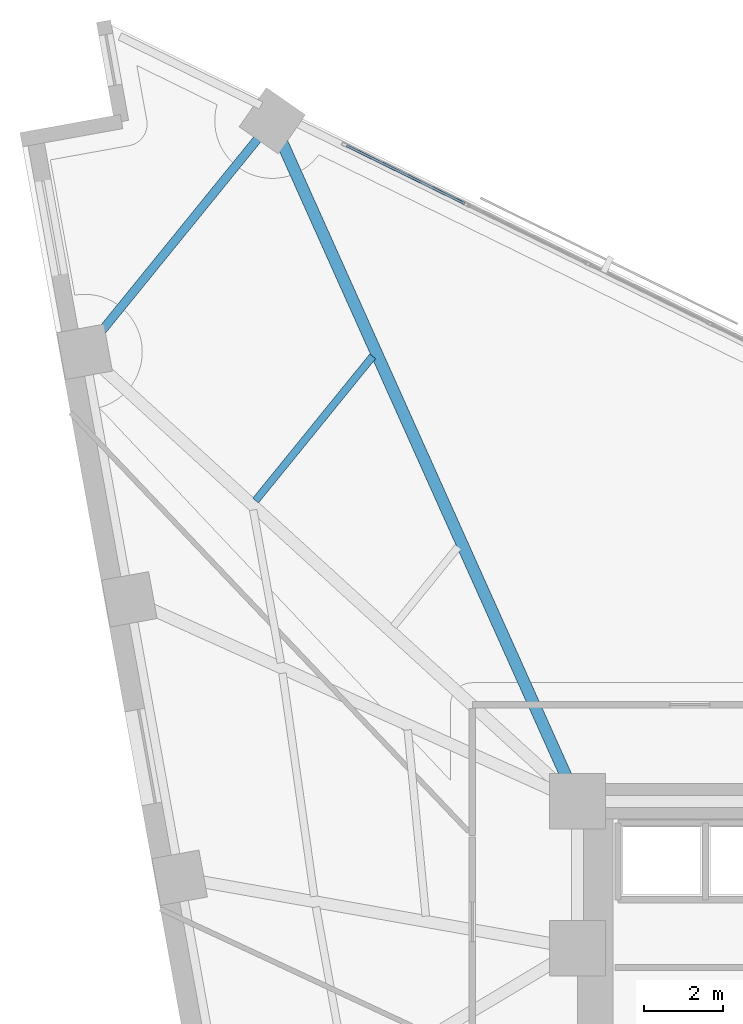
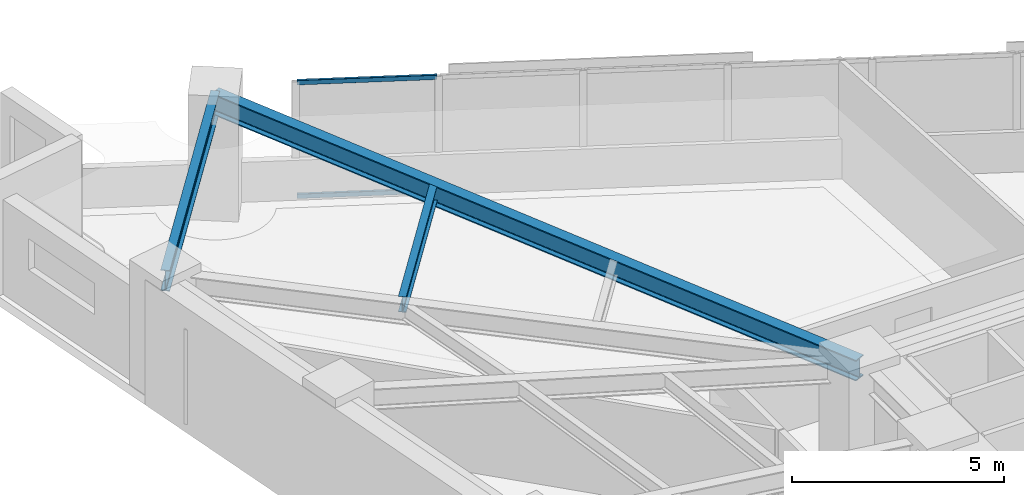
# One storey, part 9 of 18: 3 beams, 2 members, 1 element without a shape of its own.
"""IFC4 building model written with IfcOpenShell, lengths in metres."""

from ifc_helpers import new_model, si_unit, direction, frame, origin, origin_2d, place, context, subcontext, project, spatial, hollow_rectangle, i_section, extrude, material, material_profile, profile_set, type_object, element, aggregate, save


model = new_model("IFC4")

# Units and contexts
model_context = context("Model", 3, precision=1e-05, world=origin(), true_north=direction((0.0, 1.0)))
body_context = subcontext(model_context, "Body", "Model", "MODEL_VIEW")
ifc_project = project(units=[si_unit("LENGTHUNIT", "METRE"), si_unit("AREAUNIT", "SQUARE_METRE"), si_unit("VOLUMEUNIT", "CUBIC_METRE"), si_unit("PLANEANGLEUNIT", "RADIAN"), si_unit("MASSUNIT", "GRAM", prefix="KILO")], contexts=[model_context])

# Site, building, storey
site_placement = place(None, origin())
site = spatial("IfcSite", under=ifc_project, at=site_placement, CompositionType="ELEMENT")
building_placement = place(site_placement, origin())
building = spatial("IfcBuilding", under=site, at=building_placement, Name="Narakoshi Arena Tower", CompositionType="ELEMENT")
storey_placement = place(building_placement, frame((0.0, 0.0, 106.5)))
storey = spatial("IfcBuildingStorey", under=building, at=storey_placement, Name="L28", CompositionType="ELEMENT", Elevation=106.5)

# Beams
ifc_material_1 = material(Name="Structural steel S355J2", Category="steel")
ifc_material_profile_1 = material_profile(ifc_material_1, i_section(OverallWidth=0.219970703125, OverallDepth=0.60009765625, WebThickness=0.011962890625, FlangeThickness=0.01904296875, FilletRadius=0.02392578125, at=origin_2d()), Name="IPE600")
ifc_profile_set_1 = profile_set([ifc_material_profile_1], Name="Structural steel S355J2")
beam_type_1 = type_object("IfcBeamType", Name="BM-EDGE-600", PredefinedType="BEAM", material=ifc_profile_set_1)
beam_1_placement = place(storey_placement, frame((64.31787109375, 73.633056640625, 3.0400390625), z_axis=(-0.630427035182, -0.776248512598, 0.0), x_axis=(0.776248512598, -0.630427035182, 0.0)))
element("IfcBeam", 1, at=beam_1_placement, inside=storey, type_object=beam_type_1, Name="L28 Perimeter Edge Girder 09", PredefinedType="BEAM", context=body_context, shape_type="SweptSolid", body=[
    extrude(i_section(OverallWidth=0.219970703125, OverallDepth=0.60009765625, WebThickness=0.011962890625, FlangeThickness=0.01904296875, FilletRadius=0.02392578125, at=origin_2d()), origin(), (0.0, 0.0, 1.0), 7.493896484375),
])
ifc_material_profile_2 = material_profile(ifc_material_1, i_section(OverallWidth=0.300048828125, OverallDepth=0.60009765625, WebThickness=0.015380859375, FlangeThickness=0.030029296875, FilletRadius=0.027099609375, at=origin_2d()), Name="HE600B")
ifc_profile_set_2 = profile_set([ifc_material_profile_2], Name="Structural steel S355J2")
beam_type_2 = type_object("IfcBeamType", Name="BM-PRI-600", PredefinedType="BEAM", material=ifc_profile_set_2)
beam_2_placement = place(storey_placement, frame((72.0, 56.5, 3.0400390625), z_axis=(-0.409135423529, 0.91247367371, 0.0), x_axis=(-0.91247367371, -0.409135423529, 0.0)))
element("IfcBeam", 2, at=beam_2_placement, inside=storey, type_object=beam_type_2, Name="L28 Radial Primary Floor Girder 09", PredefinedType="BEAM", context=body_context, shape_type="SweptSolid", body=[
    extrude(i_section(OverallWidth=0.300048828125, OverallDepth=0.60009765625, WebThickness=0.015380859375, FlangeThickness=0.030029296875, FilletRadius=0.027099609375, at=origin_2d()), origin(), (0.0, 0.0, 1.0), 18.776611328125),
])
ifc_material_profile_3 = material_profile(ifc_material_1, i_section(OverallWidth=0.18994140625, OverallDepth=0.449951171875, WebThickness=0.009521484375, FlangeThickness=0.0146484375, FilletRadius=0.02099609375, at=origin_2d()), Name="IPE450")
ifc_profile_set_3 = profile_set([ifc_material_profile_3], Name="Structural steel S355J2")
beam_type_3 = type_object("IfcBeamType", Name="BM-SEC-450", PredefinedType="JOIST", material=ifc_profile_set_3)
beam_3_placement = place(storey_placement, frame((66.844482421875, 67.702880859375, 3.114990234375), z_axis=(-0.630421596357, -0.776252929687, 0.0), x_axis=(0.776252929687, -0.630421596357, 0.0)))
element("IfcBeam", 3, at=beam_3_placement, inside=storey, type_object=beam_type_3, Name="L28 Composite Secondary Floor Joist 11", PredefinedType="JOIST", context=body_context, shape_type="SweptSolid", body=[
    extrude(i_section(OverallWidth=0.18994140625, OverallDepth=0.449951171875, WebThickness=0.009521484375, FlangeThickness=0.0146484375, FilletRadius=0.02099609375, at=origin_2d()), origin(), (0.0, 0.0, 1.0), 4.67578125),
])

# Curtain wall, members
ifc_material_2 = material(Name="Anodised bronze aluminium 6063-T6", Category="aluminium")
curtain_wall_type = type_object("IfcCurtainWallType", Name="CW-HYP-LOW", PredefinedType="NOTDEFINED", material=ifc_material_2)
curtain_wall_placement = place(storey_placement, origin())
curtain_wall = element("IfcCurtainWall", 4, at=curtain_wall_placement, inside=storey, type_object=curtain_wall_type, Name="L28 Folded Hypotenuse Curtain Wall 2-1", PredefinedType="NOTDEFINED")
ifc_material_profile_4 = material_profile(ifc_material_2, hollow_rectangle(XDim=0.06494140625, YDim=0.1298828125, WallThickness=0.00390625, OuterFilletRadius=0.0048828125, at=origin_2d()), Name="TRN130x65x4")
ifc_profile_set_4 = profile_set([ifc_material_profile_4], Name="Anodised bronze aluminium 6063-T6")
member_type = type_object("IfcMemberType", Name="MEM-TRN-130", PredefinedType="USERDEFINED", material=ifc_profile_set_4)
member_1_placement = place(storey_placement, frame((69.1591796875, 71.55029296875, 0.032470703125), z_axis=(-0.898012158644, 0.439970638711, 0.0), x_axis=(-0.439970638711, -0.898012158644, 0.0)))
member_1 = element("IfcMember", 5, at=member_1_placement, type_object=member_type, Name="CW-01 transom 7.1", ObjectType="TRANSOM", PredefinedType="USERDEFINED", context=body_context, shape_type="SweptSolid", body=[
    extrude(hollow_rectangle(XDim=0.06494140625, YDim=0.1298828125, WallThickness=0.00390625, OuterFilletRadius=0.0048828125, at=origin_2d()), origin(), (0.0, 0.0, 1.0), 3.31005859375),
])
member_2_placement = place(storey_placement, frame((69.1591796875, 71.55029296875, 3.3076171875), z_axis=(-0.898012158644, 0.439970638711, 0.0), x_axis=(-0.439970638711, -0.898012158644, 0.0)))
member_2 = element("IfcMember", 6, at=member_2_placement, type_object=member_type, Name="CW-01 transom 7.2", ObjectType="TRANSOM", PredefinedType="USERDEFINED", context=body_context, shape_type="SweptSolid", body=[
    extrude(hollow_rectangle(XDim=0.06494140625, YDim=0.1298828125, WallThickness=0.00390625, OuterFilletRadius=0.0048828125, at=origin_2d()), origin(), (0.0, 0.0, 1.0), 3.31005859375),
])
aggregate(curtain_wall, [member_1, member_2])

save(model, "model.ifc")
